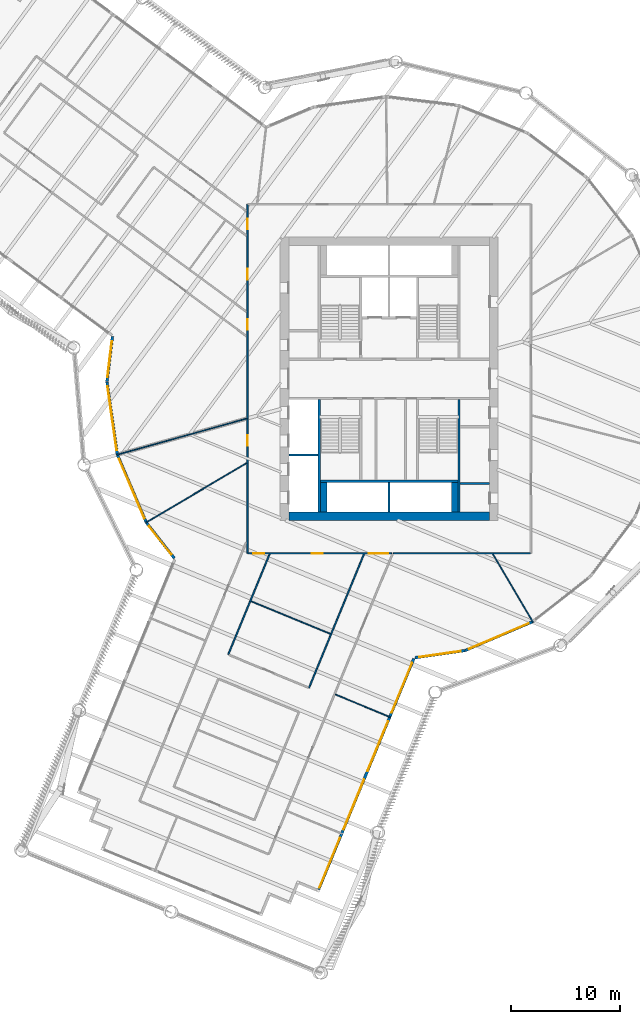
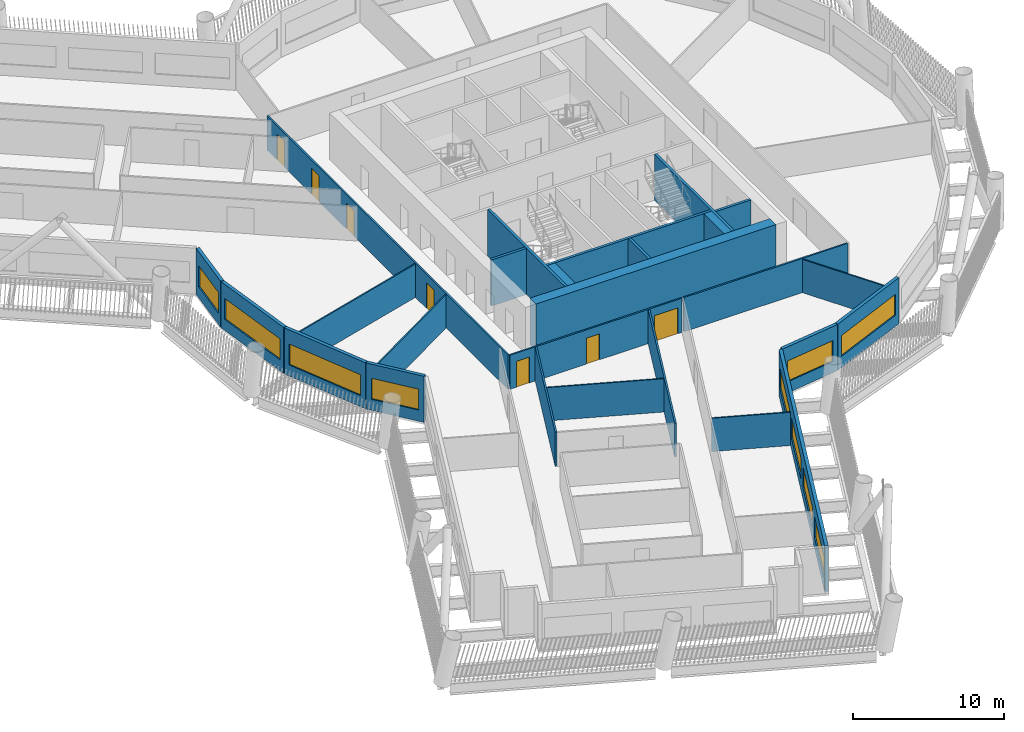
# One storey, part 4 of 23: 26 walls, 10 windows, 7 doors, 17 openings.
"""IFC4 building model written with IfcOpenShell, lengths in metres."""

from ifc_helpers import new_model, si_unit, direction, frame, frame_2d, origin, place, context, subcontext, project, spatial, rectangle, extrude, material, layer, layer_set, type_object, element, fill, save


model = new_model("IFC4")

# Units and contexts
model_context = context("Model", 3, precision=1e-05, world=origin(), true_north=direction((0.0, 1.0)))
body_context = subcontext(model_context, "Body", "Model", "MODEL_VIEW")
ifc_project = project(units=[si_unit("LENGTHUNIT", "METRE"), si_unit("AREAUNIT", "SQUARE_METRE"), si_unit("VOLUMEUNIT", "CUBIC_METRE"), si_unit("PLANEANGLEUNIT", "RADIAN"), si_unit("MASSUNIT", "GRAM", prefix="KILO")], contexts=[model_context])

# Site, building, storey
site_placement = place(None, origin())
site = spatial("IfcSite", under=ifc_project, at=site_placement, CompositionType="ELEMENT")
building_placement = place(site_placement, origin())
building = spatial("IfcBuilding", under=site, at=building_placement, Name="Tarsis Ring Headquarters", CompositionType="ELEMENT")
storey_placement = place(building_placement, frame((0.0, 0.0, 124.0)))
storey = spatial("IfcBuildingStorey", under=building, at=storey_placement, Name="L28", CompositionType="ELEMENT", Elevation=124.0)

# Walls
ifc_material_1 = material(Name="Blockwork", Category="masonry")
ifc_layer_1 = layer(ifc_material_1, 0.199951171875)
ifc_layer_set_1 = layer_set([ifc_layer_1], Name="Core blockwork wall 200")
wall_type_1 = type_object("IfcWallType", Name="Core blockwork wall 200", PredefinedType="PARTITIONING", material=ifc_layer_set_1)
wall_1_placement = place(storey_placement, frame((6.5, -9.60009765625, 0.0), z_axis=(0.0, 0.0, 1.0), x_axis=(1.0, 0.0, 0.0)))
element("IfcWall", 1, at=wall_1_placement, inside=storey, type_object=wall_type_1, Name="Core partition ED1", PredefinedType="PARTITIONING", context=body_context, shape_type="SweptSolid", body=[
    extrude(rectangle(XDim=2.699951171875, YDim=0.199951171875, at=frame_2d((1.35009765625, 0.0))), origin(), (0.0, 0.0, 1.0), 3.739990234375),
])
ifc_material_2 = material(Name="Concrete C60/75", Category="concrete")
ifc_layer_2 = layer(ifc_material_2, 0.800048828125)
ifc_layer_set_2 = layer_set([ifc_layer_2], Name="Core wall 800 C60/75")
wall_type_2 = type_object("IfcWallType", Name="Core wall 800 C60/75", PredefinedType="SHEAR", material=ifc_layer_set_2)
wall_2_placement = place(storey_placement, frame((-9.199951171875, -12.60009765625, 0.0), z_axis=(0.0, 0.0, 1.0), x_axis=(1.0, 0.0, 0.0)))
element("IfcWall", 2, at=wall_2_placement, inside=storey, type_object=wall_type_2, Name="Core wall OS", PredefinedType="SHEAR", context=body_context, shape_type="SweptSolid", body=[
    extrude(rectangle(XDim=18.39990234375, YDim=0.800048828125, at=frame_2d((9.199951171875, 0.0))), origin(), (0.0, 0.0, 1.0), 3.739990234375),
])
ifc_material_3 = material(Name="Gypsum board on steel studs", Category="steel")
ifc_layer_3 = layer(ifc_material_3, 0.10009765625)
ifc_layer_set_3 = layer_set([ifc_layer_3], Name="FL partition 100 unrated")
wall_type_3 = type_object("IfcWallType", Name="FL partition 100 unrated", PredefinedType="PARTITIONING", material=ifc_layer_set_3)
wall_3_placement = place(storey_placement, frame((-24.991943359375, -6.977783203125, 0.0), z_axis=(0.0, 0.0, 1.0), x_axis=(0.963163642633, 0.268915967377, 0.0)))
element("IfcWall", 3, at=wall_3_placement, inside=storey, type_object=wall_type_3, Name="Partition PW3", PredefinedType="PARTITIONING", context=body_context, shape_type="SweptSolid", body=[
    extrude(rectangle(XDim=12.380615234375, YDim=0.10009765625, at=frame_2d((6.1904296875, 0.0))), origin(), (0.0, 0.0, 1.0), 2.699951171875),
])
wall_4_placement = place(storey_placement, frame((-22.33447265625, -13.20849609375, 0.0), z_axis=(0.0, 0.0, 1.0), x_axis=(0.860742537154, 0.509040553133, 0.0)))
element("IfcWall", 4, at=wall_4_placement, inside=storey, type_object=wall_type_3, Name="Partition PW3", PredefinedType="PARTITIONING", context=body_context, shape_type="SweptSolid", body=[
    extrude(rectangle(XDim=10.7548828125, YDim=0.10009765625, at=frame_2d((5.37744140625, 0.0))), origin(), (0.0, 0.0, 1.0), 2.699951171875),
])
wall_5_placement = place(storey_placement, frame((-12.6572265625, -20.3955078125, 0.0), z_axis=(0.0, 0.0, 1.0), x_axis=(0.924537800692, -0.3810903503, 0.0)))
element("IfcWall", 5, at=wall_5_placement, inside=storey, type_object=wall_type_3, Name="Partition PW3", PredefinedType="PARTITIONING", context=body_context, shape_type="SweptSolid", body=[
    extrude(rectangle(XDim=7.85986328125, YDim=0.10009765625, at=frame_2d((3.929931640625, 0.0))), origin(), (0.0, 0.0, 1.0), 2.699951171875),
])
wall_6_placement = place(storey_placement, frame((9.50830078125, -16.077392578125, 0.0), z_axis=(0.0, 0.0, 1.0), x_axis=(0.509017818268, -0.860755982079, 0.0)))
element("IfcWall", 6, at=wall_6_placement, inside=storey, type_object=wall_type_3, Name="Partition PW3", PredefinedType="PARTITIONING", context=body_context, shape_type="SweptSolid", body=[
    extrude(rectangle(XDim=7.269287109375, YDim=0.10009765625, at=frame_2d((3.634765625, 0.0))), origin(), (0.0, 0.0, 1.0), 2.699951171875),
])
wall_7_placement = place(storey_placement, frame((-4.931884765625, -28.944580078125, 0.0), z_axis=(0.0, 0.0, 1.0), x_axis=(0.924551639934, -0.381056774111, 0.0)))
element("IfcWall", 7, at=wall_7_placement, inside=storey, type_object=wall_type_3, Name="Partition PW3", PredefinedType="PARTITIONING", context=body_context, shape_type="SweptSolid", body=[
    extrude(rectangle(XDim=5.479736328125, YDim=0.10009765625, at=frame_2d((2.73974609375, 0.0))), origin(), (0.0, 0.0, 1.0), 2.699951171875),
])

# Wall, openings, doors
ifc_layer_4 = layer(ifc_material_3, 0.125)
ifc_layer_set_4 = layer_set([ifc_layer_4], Name="FL partition 125 EI 60 H2770")
wall_type_4 = type_object("IfcWallType", Name="FL partition 125 EI 60 H2770", PredefinedType="PARTITIONING", material=ifc_layer_set_4)
wall_8_placement = place(storey_placement, frame((-13.0, -16.0, 0.0), z_axis=(0.0, 0.0, 1.0), x_axis=(0.0, 1.0, 0.0)))
wall_8 = element("IfcWall", 8, at=wall_8_placement, inside=storey, type_object=wall_type_4, Name="Partition PW1", PredefinedType="PARTITIONING", context=body_context, shape_type="SweptSolid", body=[
    extrude(rectangle(XDim=32.0, YDim=0.125, at=frame_2d((16.0, 0.0))), origin(), (0.0, 0.0, 1.0), 2.77001953125),
])
opening_1_placement = place(wall_8_placement, frame((9.841064453125, 0.0, 0.0)))
opening_1 = element("IfcOpeningElement", 9, at=opening_1_placement, cuts=wall_8, Name="Opening D28.14", PredefinedType="OPENING", context=body_context, shape_type="SweptSolid", body=[
    extrude(rectangle(XDim=1.0, YDim=2.10009765625, at=frame_2d((0.5, 1.050048828125))), frame((0.0, 0.072509765625, 0.0), z_axis=(0.0, -1.0, 0.0), x_axis=(1.0, 0.0, 0.0)), (0.0, 0.0, 1.0), 0.14501953125),
])
opening_2_placement = place(wall_8_placement, frame((25.08447265625, 0.0, 0.0)))
opening_2 = element("IfcOpeningElement", 10, at=opening_2_placement, cuts=wall_8, Name="Opening D28.16", PredefinedType="OPENING", context=body_context, shape_type="SweptSolid", body=[
    extrude(rectangle(XDim=1.0, YDim=2.10009765625, at=frame_2d((0.5, 1.050048828125))), frame((0.0, 0.072509765625, 0.0), z_axis=(0.0, -1.0, 0.0), x_axis=(1.0, 0.0, 0.0)), (0.0, 0.0, 1.0), 0.14501953125),
])
opening_3_placement = place(wall_8_placement, frame((20.47509765625, 0.0, 0.0)))
opening_3 = element("IfcOpeningElement", 11, at=opening_3_placement, cuts=wall_8, Name="Opening D28.24", PredefinedType="OPENING", context=body_context, shape_type="SweptSolid", body=[
    extrude(rectangle(XDim=1.0, YDim=2.10009765625, at=frame_2d((0.5, 1.050048828125))), frame((0.0, 0.072509765625, 0.0), z_axis=(0.0, -1.0, 0.0), x_axis=(1.0, 0.0, 0.0)), (0.0, 0.0, 1.0), 0.14501953125),
])
opening_4_placement = place(wall_8_placement, frame((29.693603515625, 0.0, 0.0)))
opening_4 = element("IfcOpeningElement", 12, at=opening_4_placement, cuts=wall_8, Name="Opening D28.25", PredefinedType="OPENING", context=body_context, shape_type="SweptSolid", body=[
    extrude(rectangle(XDim=1.0, YDim=2.10009765625, at=frame_2d((0.5, 1.050048828125))), frame((0.0, 0.072509765625, 0.0), z_axis=(0.0, -1.0, 0.0), x_axis=(1.0, 0.0, 0.0)), (0.0, 0.0, 1.0), 0.14501953125),
])
ifc_material_4 = material(Name="Fire-rated timber door leaf in steel frame", Category="steel")
door_type_1 = type_object("IfcDoorType", Name="FL door FD60-1000", OperationType="NOTDEFINED", PredefinedType="DOOR", material=ifc_material_4)
door_1_placement = place(opening_1_placement, origin())
door_1 = element("IfcDoor", 13, at=door_1_placement, inside=storey, type_object=door_type_1, Name="Door D28.14", OperationType="SINGLE_SWING_RIGHT", OverallHeight=2.10009765625, OverallWidth=1.0, PredefinedType="DOOR", context=body_context, shape_type="SweptSolid", body=[
    extrude(rectangle(XDim=1.0, YDim=2.10009765625, at=frame_2d((0.5, 1.050048828125))), frame((0.0, 0.02490234375, 0.0), z_axis=(0.0, -1.0, 0.0), x_axis=(1.0, 0.0, 0.0)), (0.0, 0.0, 1.0), 0.050048828125),
])
fill(opening_1, door_1)
door_2_placement = place(opening_2_placement, origin())
door_2 = element("IfcDoor", 14, at=door_2_placement, inside=storey, type_object=door_type_1, Name="Door D28.16", OperationType="SINGLE_SWING_RIGHT", OverallHeight=2.10009765625, OverallWidth=1.0, PredefinedType="DOOR", context=body_context, shape_type="SweptSolid", body=[
    extrude(rectangle(XDim=1.0, YDim=2.10009765625, at=frame_2d((0.5, 1.050048828125))), frame((0.0, 0.02490234375, 0.0), z_axis=(0.0, -1.0, 0.0), x_axis=(1.0, 0.0, 0.0)), (0.0, 0.0, 1.0), 0.050048828125),
])
fill(opening_2, door_2)
door_3_placement = place(opening_3_placement, origin())
door_3 = element("IfcDoor", 15, at=door_3_placement, inside=storey, type_object=door_type_1, Name="Door D28.24", OperationType="SINGLE_SWING_RIGHT", OverallHeight=2.10009765625, OverallWidth=1.0, PredefinedType="DOOR", context=body_context, shape_type="SweptSolid", body=[
    extrude(rectangle(XDim=1.0, YDim=2.10009765625, at=frame_2d((0.5, 1.050048828125))), frame((0.0, 0.02490234375, 0.0), z_axis=(0.0, -1.0, 0.0), x_axis=(1.0, 0.0, 0.0)), (0.0, 0.0, 1.0), 0.050048828125),
])
fill(opening_3, door_3)
door_4_placement = place(opening_4_placement, origin())
door_4 = element("IfcDoor", 16, at=door_4_placement, inside=storey, type_object=door_type_1, Name="Door D28.25", OperationType="SINGLE_SWING_LEFT", OverallHeight=2.10009765625, OverallWidth=1.0, PredefinedType="DOOR", context=body_context, shape_type="SweptSolid", body=[
    extrude(rectangle(XDim=1.0, YDim=2.10009765625, at=frame_2d((0.5, 1.050048828125))), frame((0.0, 0.02490234375, 0.0), z_axis=(0.0, -1.0, 0.0), x_axis=(1.0, 0.0, 0.0)), (0.0, 0.0, 1.0), 0.050048828125),
])
fill(opening_4, door_4)

wall_9_placement = place(storey_placement, frame((-12.93994140625, -16.0, 0.0), z_axis=(0.0, 0.0, 1.0), x_axis=(1.0, 0.0, 0.0)))
wall_9 = element("IfcWall", 17, at=wall_9_placement, inside=storey, type_object=wall_type_4, Name="Partition PW1", PredefinedType="PARTITIONING", context=body_context, shape_type="SweptSolid", body=[
    extrude(rectangle(XDim=13.174072265625, YDim=0.125, at=frame_2d((6.5869140625, 0.0))), origin(), (0.0, 0.0, 1.0), 2.77001953125),
])
opening_5_placement = place(wall_9_placement, frame((5.84521484375, 0.0, 0.0)))
opening_5 = element("IfcOpeningElement", 18, at=opening_5_placement, cuts=wall_9, Name="Opening D28.18", PredefinedType="OPENING", context=body_context, shape_type="SweptSolid", body=[
    extrude(rectangle(XDim=1.0, YDim=2.10009765625, at=frame_2d((0.5, 1.050048828125))), frame((0.0, 0.072509765625, 0.0), z_axis=(0.0, -1.0, 0.0), x_axis=(1.0, 0.0, 0.0)), (0.0, 0.0, 1.0), 0.14501953125),
])
opening_6_placement = place(wall_9_placement, frame((0.4794921875, 0.0, 0.0)))
opening_6 = element("IfcOpeningElement", 19, at=opening_6_placement, cuts=wall_9, Name="Opening D28.22", PredefinedType="OPENING", context=body_context, shape_type="SweptSolid", body=[
    extrude(rectangle(XDim=1.0, YDim=2.10009765625, at=frame_2d((0.5, 1.050048828125))), frame((0.0, 0.072509765625, 0.0), z_axis=(0.0, -1.0, 0.0), x_axis=(1.0, 0.0, 0.0)), (0.0, 0.0, 1.0), 0.14501953125),
])
opening_7_placement = place(wall_9_placement, frame((11.069580078125, 0.0, 0.0)))
opening_7 = element("IfcOpeningElement", 20, at=opening_7_placement, cuts=wall_9, Name="Opening D28.23", PredefinedType="OPENING", context=body_context, shape_type="SweptSolid", body=[
    extrude(rectangle(XDim=1.800048828125, YDim=2.10009765625, at=frame_2d((0.89990234375, 1.050048828125))), frame((0.0, 0.072509765625, 0.0), z_axis=(0.0, -1.0, 0.0), x_axis=(1.0, 0.0, 0.0)), (0.0, 0.0, 1.0), 0.14501953125),
])
door_5_placement = place(opening_5_placement, origin())
door_5 = element("IfcDoor", 21, at=door_5_placement, inside=storey, type_object=door_type_1, Name="Door D28.18", OperationType="SINGLE_SWING_RIGHT", OverallHeight=2.10009765625, OverallWidth=1.0, PredefinedType="DOOR", context=body_context, shape_type="SweptSolid", body=[
    extrude(rectangle(XDim=1.0, YDim=2.10009765625, at=frame_2d((0.5, 1.050048828125))), frame((0.0, 0.02490234375, 0.0), z_axis=(0.0, -1.0, 0.0), x_axis=(1.0, 0.0, 0.0)), (0.0, 0.0, 1.0), 0.050048828125),
])
fill(opening_5, door_5)
door_6_placement = place(opening_6_placement, origin())
door_6 = element("IfcDoor", 22, at=door_6_placement, inside=storey, type_object=door_type_1, Name="Door D28.22", OperationType="SINGLE_SWING_RIGHT", OverallHeight=2.10009765625, OverallWidth=1.0, PredefinedType="DOOR", context=body_context, shape_type="SweptSolid", body=[
    extrude(rectangle(XDim=1.0, YDim=2.10009765625, at=frame_2d((0.5, 1.050048828125))), frame((0.0, 0.02490234375, 0.0), z_axis=(0.0, -1.0, 0.0), x_axis=(1.0, 0.0, 0.0)), (0.0, 0.0, 1.0), 0.050048828125),
])
fill(opening_6, door_6)
door_type_2 = type_object("IfcDoorType", Name="FL door FD60-1800", OperationType="DOUBLE_DOOR_SINGLE_SWING", PredefinedType="DOOR", material=ifc_material_4)
door_7_placement = place(opening_7_placement, origin())
door_7 = element("IfcDoor", 23, at=door_7_placement, inside=storey, type_object=door_type_2, Name="Door D28.23", OperationType="DOUBLE_DOOR_SINGLE_SWING", OverallHeight=2.10009765625, OverallWidth=1.800048828125, PredefinedType="DOOR", context=body_context, shape_type="SweptSolid", body=[
    extrude(rectangle(XDim=1.800048828125, YDim=2.10009765625, at=frame_2d((0.89990234375, 1.050048828125))), frame((0.0, 0.02490234375, 0.0), z_axis=(0.0, -1.0, 0.0), x_axis=(1.0, 0.0, 0.0)), (0.0, 0.0, 1.0), 0.050048828125),
])
fill(opening_7, door_7)

# Walls
wall_10_placement = place(storey_placement, frame((0.385498046875, -16.0, 0.0), z_axis=(0.0, 0.0, 1.0), x_axis=(1.0, 0.0, 0.0)))
element("IfcWall", 24, at=wall_10_placement, inside=storey, type_object=wall_type_4, Name="Partition PW1", PredefinedType="PARTITIONING", context=body_context, shape_type="SweptSolid", body=[
    extrude(rectangle(XDim=12.554443359375, YDim=0.125, at=frame_2d((6.27734375, 0.0))), origin(), (0.0, 0.0, 1.0), 2.77001953125),
])
wall_11_placement = place(storey_placement, frame((-7.352783203125, -28.336181640625, 0.0), z_axis=(0.0, 0.0, 1.0), x_axis=(0.381070362777, 0.924546039207, 0.0)))
element("IfcWall", 25, at=wall_11_placement, inside=storey, type_object=wall_type_4, Name="Partition PW1", PredefinedType="PARTITIONING", context=body_context, shape_type="SweptSolid", body=[
    extrude(rectangle(XDim=13.2529296875, YDim=0.125, at=frame_2d((6.62646484375, 0.0))), origin(), (0.0, 0.0, 1.0), 2.77001953125),
])
wall_12_placement = place(storey_placement, frame((-14.749267578125, -25.28759765625, 0.0), z_axis=(0.0, 0.0, 1.0), x_axis=(0.381065537007, 0.924548028231, 0.0)))
element("IfcWall", 26, at=wall_12_placement, inside=storey, type_object=wall_type_4, Name="Partition PW1", PredefinedType="PARTITIONING", context=body_context, shape_type="SweptSolid", body=[
    extrude(rectangle(XDim=9.95556640625, YDim=0.125, at=frame_2d((4.977783203125, 0.0))), origin(), (0.0, 0.0, 1.0), 2.77001953125),
])

# Wall, opening, window
ifc_material_5 = material(Name="Terracotta clad insulated panel wall", Category="masonry")
ifc_layer_5 = layer(ifc_material_5, 0.25)
ifc_layer_set_5 = layer_set([ifc_layer_5], Name="Facade wall terracotta panel 250")
wall_type_5 = type_object("IfcWallType", Name="Facade wall terracotta panel 250", PredefinedType="STANDARD", material=ifc_layer_set_5)
wall_13_placement = place(storey_placement, frame((-25.37109375, 3.872802734375, 0.0), z_axis=(0.0, 0.0, 1.0), x_axis=(-0.120145474003, -0.992756296921, 0.0)))
wall_13 = element("IfcWall", 27, at=wall_13_placement, inside=storey, type_object=wall_type_5, Name="External wall L28-02", PredefinedType="STANDARD", context=body_context, shape_type="SweptSolid", body=[
    extrude(rectangle(XDim=4.157470703125, YDim=0.25, at=frame_2d((2.07861328125, 0.0))), origin(), (0.0, 0.0, 1.0), 3.739990234375),
])
opening_8_placement = place(wall_13_placement, frame((0.420166015625, 0.0, 0.89990234375)))
opening_8 = element("IfcOpeningElement", 28, at=opening_8_placement, cuts=wall_13, Name="Opening WN01", PredefinedType="OPENING", context=body_context, shape_type="SweptSolid", body=[
    extrude(rectangle(XDim=3.35009765625, YDim=1.699951171875, at=frame_2d((1.675048828125, 0.85009765625))), frame((0.0, 0.135009765625, 0.0), z_axis=(0.0, -1.0, 0.0), x_axis=(1.0, 0.0, 0.0)), (0.0, 0.0, 1.0), 0.27001953125),
])
ifc_material_6 = material(Name="Aluminium framed double glazing", Category="aluminium")
window_type_1 = type_object("IfcWindowType", Name="Facade window 3350 x 1700", PartitioningType="SINGLE_PANEL", PredefinedType="WINDOW", material=ifc_material_6)
window_1_placement = place(opening_8_placement, origin())
window_1 = element("IfcWindow", 29, at=window_1_placement, inside=storey, type_object=window_type_1, Name="Window L28-02.1", OverallHeight=1.699951171875, OverallWidth=3.35009765625, PartitioningType="SINGLE_PANEL", PredefinedType="WINDOW", context=body_context, shape_type="SweptSolid", body=[
    extrude(rectangle(XDim=3.35009765625, YDim=1.699951171875, at=frame_2d((1.675048828125, 0.85009765625))), frame((0.0, 0.030029296875, 0.0), z_axis=(0.0, -1.0, 0.0), x_axis=(1.0, 0.0, 0.0)), (0.0, 0.0, 1.0), 0.06005859375),
])
fill(opening_8, window_1)

wall_14_placement = place(storey_placement, frame((-25.8701171875, -0.287353515625, 0.0), z_axis=(0.0, 0.0, 1.0), x_axis=(0.140897556405, -0.990024180815, 0.0)))
wall_14 = element("IfcWall", 30, at=wall_14_placement, inside=storey, type_object=wall_type_5, Name="External wall L28-03", PredefinedType="STANDARD", context=body_context, shape_type="SweptSolid", body=[
    extrude(rectangle(XDim=6.721435546875, YDim=0.25, at=frame_2d((3.36083984375, 0.0))), origin(), (0.0, 0.0, 1.0), 3.739990234375),
])
opening_9_placement = place(wall_14_placement, frame((0.3857421875, 0.0, 0.89990234375)))
opening_9 = element("IfcOpeningElement", 31, at=opening_9_placement, cuts=wall_14, Name="Opening WN07", PredefinedType="OPENING", context=body_context, shape_type="SweptSolid", body=[
    extrude(rectangle(XDim=5.949951171875, YDim=1.699951171875, at=frame_2d((2.97509765625, 0.85009765625))), frame((0.0, 0.135009765625, 0.0), z_axis=(0.0, -1.0, 0.0), x_axis=(1.0, 0.0, 0.0)), (0.0, 0.0, 1.0), 0.27001953125),
])
window_type_2 = type_object("IfcWindowType", Name="Facade window 5950 x 1700", PartitioningType="SINGLE_PANEL", PredefinedType="WINDOW", material=ifc_material_6)
window_2_placement = place(opening_9_placement, origin())
window_2 = element("IfcWindow", 32, at=window_2_placement, inside=storey, type_object=window_type_2, Name="Window L28-03.1", OverallHeight=1.699951171875, OverallWidth=5.949951171875, PartitioningType="SINGLE_PANEL", PredefinedType="WINDOW", context=body_context, shape_type="SweptSolid", body=[
    extrude(rectangle(XDim=5.949951171875, YDim=1.699951171875, at=frame_2d((2.97509765625, 0.85009765625))), frame((0.0, 0.030029296875, 0.0), z_axis=(0.0, -1.0, 0.0), x_axis=(1.0, 0.0, 0.0)), (0.0, 0.0, 1.0), 0.06005859375),
])
fill(opening_9, window_2)

wall_15_placement = place(storey_placement, frame((-24.914306640625, -6.97314453125, 0.0), z_axis=(0.0, 0.0, 1.0), x_axis=(0.392318635752, -0.919829379853, 0.0)))
wall_15 = element("IfcWall", 33, at=wall_15_placement, inside=storey, type_object=wall_type_5, Name="External wall L28-04", PredefinedType="STANDARD", context=body_context, shape_type="SweptSolid", body=[
    extrude(rectangle(XDim=6.721435546875, YDim=0.25, at=frame_2d((3.36083984375, 0.0))), origin(), (0.0, 0.0, 1.0), 3.739990234375),
])
opening_10_placement = place(wall_15_placement, frame((0.3857421875, 0.0, 0.89990234375)))
opening_10 = element("IfcOpeningElement", 34, at=opening_10_placement, cuts=wall_15, Name="Opening WN07", PredefinedType="OPENING", context=body_context, shape_type="SweptSolid", body=[
    extrude(rectangle(XDim=5.949951171875, YDim=1.699951171875, at=frame_2d((2.97509765625, 0.85009765625))), frame((0.0, 0.135009765625, 0.0), z_axis=(0.0, -1.0, 0.0), x_axis=(1.0, 0.0, 0.0)), (0.0, 0.0, 1.0), 0.27001953125),
])
window_3_placement = place(opening_10_placement, origin())
window_3 = element("IfcWindow", 35, at=window_3_placement, inside=storey, type_object=window_type_2, Name="Window L28-04.1", OverallHeight=1.699951171875, OverallWidth=5.949951171875, PartitioningType="SINGLE_PANEL", PredefinedType="WINDOW", context=body_context, shape_type="SweptSolid", body=[
    extrude(rectangle(XDim=5.949951171875, YDim=1.699951171875, at=frame_2d((2.97509765625, 0.85009765625))), frame((0.0, 0.030029296875, 0.0), z_axis=(0.0, -1.0, 0.0), x_axis=(1.0, 0.0, 0.0)), (0.0, 0.0, 1.0), 0.06005859375),
])
fill(opening_10, window_3)

wall_16_placement = place(storey_placement, frame((-22.260498046875, -13.183837890625, 0.0), z_axis=(0.0, 0.0, 1.0), x_axis=(0.617009465405, -0.786955729123, 0.0)))
wall_16 = element("IfcWall", 36, at=wall_16_placement, inside=storey, type_object=wall_type_5, Name="External wall L28-05", PredefinedType="STANDARD", context=body_context, shape_type="SweptSolid", body=[
    extrude(rectangle(XDim=4.157470703125, YDim=0.25, at=frame_2d((2.07861328125, 0.0))), origin(), (0.0, 0.0, 1.0), 3.739990234375),
])
opening_11_placement = place(wall_16_placement, frame((0.38720703125, 0.0, 0.89990234375)))
opening_11 = element("IfcOpeningElement", 37, at=opening_11_placement, cuts=wall_16, Name="Opening WN01", PredefinedType="OPENING", context=body_context, shape_type="SweptSolid", body=[
    extrude(rectangle(XDim=3.35009765625, YDim=1.699951171875, at=frame_2d((1.675048828125, 0.85009765625))), frame((0.0, 0.135009765625, 0.0), z_axis=(0.0, -1.0, 0.0), x_axis=(1.0, 0.0, 0.0)), (0.0, 0.0, 1.0), 0.27001953125),
])
window_4_placement = place(opening_11_placement, origin())
window_4 = element("IfcWindow", 38, at=window_4_placement, inside=storey, type_object=window_type_1, Name="Window L28-05.1", OverallHeight=1.699951171875, OverallWidth=3.35009765625, PartitioningType="SINGLE_PANEL", PredefinedType="WINDOW", context=body_context, shape_type="SweptSolid", body=[
    extrude(rectangle(XDim=3.35009765625, YDim=1.699951171875, at=frame_2d((1.675048828125, 0.85009765625))), frame((0.0, 0.030029296875, 0.0), z_axis=(0.0, -1.0, 0.0), x_axis=(1.0, 0.0, 0.0)), (0.0, 0.0, 1.0), 0.06005859375),
])
fill(opening_11, window_4)

# Wall, openings, windows
wall_17_placement = place(storey_placement, frame((-6.455078125, -46.8232421875, 0.0), z_axis=(0.0, 0.0, 1.0), x_axis=(0.381071490669, 0.924545574323, 0.0)))
wall_17 = element("IfcWall", 39, at=wall_17_placement, inside=storey, type_object=wall_type_5, Name="External wall L28-16", PredefinedType="STANDARD", context=body_context, shape_type="SweptSolid", body=[
    extrude(rectangle(XDim=22.9013671875, YDim=0.25, at=frame_2d((11.45068359375, 0.0))), origin(), (0.0, 0.0, 1.0), 3.739990234375),
])
opening_12_placement = place(wall_17_placement, frame((0.1689453125, 0.0, 0.89990234375)))
opening_12 = element("IfcOpeningElement", 40, at=opening_12_placement, cuts=wall_17, Name="Opening WN05", PredefinedType="OPENING", context=body_context, shape_type="SweptSolid", body=[
    extrude(rectangle(XDim=4.949951171875, YDim=1.699951171875, at=frame_2d((2.47509765625, 0.85009765625))), frame((0.0, 0.135009765625, 0.0), z_axis=(0.0, -1.0, 0.0), x_axis=(1.0, 0.0, 0.0)), (0.0, 0.0, 1.0), 0.27001953125),
])
opening_13_placement = place(wall_17_placement, frame((5.956787109375, 0.0, 0.89990234375)))
opening_13 = element("IfcOpeningElement", 41, at=opening_13_placement, cuts=wall_17, Name="Opening WN05", PredefinedType="OPENING", context=body_context, shape_type="SweptSolid", body=[
    extrude(rectangle(XDim=4.949951171875, YDim=1.699951171875, at=frame_2d((2.47509765625, 0.85009765625))), frame((0.0, 0.135009765625, 0.0), z_axis=(0.0, -1.0, 0.0), x_axis=(1.0, 0.0, 0.0)), (0.0, 0.0, 1.0), 0.27001953125),
])
opening_14_placement = place(wall_17_placement, frame((11.74462890625, 0.0, 0.89990234375)))
opening_14 = element("IfcOpeningElement", 42, at=opening_14_placement, cuts=wall_17, Name="Opening WN05", PredefinedType="OPENING", context=body_context, shape_type="SweptSolid", body=[
    extrude(rectangle(XDim=4.949951171875, YDim=1.699951171875, at=frame_2d((2.47509765625, 0.85009765625))), frame((0.0, 0.135009765625, 0.0), z_axis=(0.0, -1.0, 0.0), x_axis=(1.0, 0.0, 0.0)), (0.0, 0.0, 1.0), 0.27001953125),
])
opening_15_placement = place(wall_17_placement, frame((17.532470703125, 0.0, 0.89990234375)))
opening_15 = element("IfcOpeningElement", 43, at=opening_15_placement, cuts=wall_17, Name="Opening WN05", PredefinedType="OPENING", context=body_context, shape_type="SweptSolid", body=[
    extrude(rectangle(XDim=4.949951171875, YDim=1.699951171875, at=frame_2d((2.47509765625, 0.85009765625))), frame((0.0, 0.135009765625, 0.0), z_axis=(0.0, -1.0, 0.0), x_axis=(1.0, 0.0, 0.0)), (0.0, 0.0, 1.0), 0.27001953125),
])
window_type_3 = type_object("IfcWindowType", Name="Facade window 4950 x 1700", PartitioningType="SINGLE_PANEL", PredefinedType="WINDOW", material=ifc_material_6)
window_5_placement = place(opening_12_placement, origin())
window_5 = element("IfcWindow", 44, at=window_5_placement, inside=storey, type_object=window_type_3, Name="Window L28-16.1", OverallHeight=1.699951171875, OverallWidth=4.949951171875, PartitioningType="SINGLE_PANEL", PredefinedType="WINDOW", context=body_context, shape_type="SweptSolid", body=[
    extrude(rectangle(XDim=4.949951171875, YDim=1.699951171875, at=frame_2d((2.47509765625, 0.85009765625))), frame((0.0, 0.030029296875, 0.0), z_axis=(0.0, -1.0, 0.0), x_axis=(1.0, 0.0, 0.0)), (0.0, 0.0, 1.0), 0.06005859375),
])
fill(opening_12, window_5)
window_6_placement = place(opening_13_placement, origin())
window_6 = element("IfcWindow", 45, at=window_6_placement, inside=storey, type_object=window_type_3, Name="Window L28-16.2", OverallHeight=1.699951171875, OverallWidth=4.949951171875, PartitioningType="SINGLE_PANEL", PredefinedType="WINDOW", context=body_context, shape_type="SweptSolid", body=[
    extrude(rectangle(XDim=4.949951171875, YDim=1.699951171875, at=frame_2d((2.47509765625, 0.85009765625))), frame((0.0, 0.030029296875, 0.0), z_axis=(0.0, -1.0, 0.0), x_axis=(1.0, 0.0, 0.0)), (0.0, 0.0, 1.0), 0.06005859375),
])
fill(opening_13, window_6)
window_7_placement = place(opening_14_placement, origin())
window_7 = element("IfcWindow", 46, at=window_7_placement, inside=storey, type_object=window_type_3, Name="Window L28-16.3", OverallHeight=1.699951171875, OverallWidth=4.949951171875, PartitioningType="SINGLE_PANEL", PredefinedType="WINDOW", context=body_context, shape_type="SweptSolid", body=[
    extrude(rectangle(XDim=4.949951171875, YDim=1.699951171875, at=frame_2d((2.47509765625, 0.85009765625))), frame((0.0, 0.030029296875, 0.0), z_axis=(0.0, -1.0, 0.0), x_axis=(1.0, 0.0, 0.0)), (0.0, 0.0, 1.0), 0.06005859375),
])
fill(opening_14, window_7)
window_8_placement = place(opening_15_placement, origin())
window_8 = element("IfcWindow", 47, at=window_8_placement, inside=storey, type_object=window_type_3, Name="Window L28-16.4", OverallHeight=1.699951171875, OverallWidth=4.949951171875, PartitioningType="SINGLE_PANEL", PredefinedType="WINDOW", context=body_context, shape_type="SweptSolid", body=[
    extrude(rectangle(XDim=4.949951171875, YDim=1.699951171875, at=frame_2d((2.47509765625, 0.85009765625))), frame((0.0, 0.030029296875, 0.0), z_axis=(0.0, -1.0, 0.0), x_axis=(1.0, 0.0, 0.0)), (0.0, 0.0, 1.0), 0.06005859375),
])
fill(opening_15, window_8)

# Wall, opening, window
wall_18_placement = place(storey_placement, frame((2.369873046875, -25.57373046875, 0.0), z_axis=(0.0, 0.0, 1.0), x_axis=(0.99002442812, 0.140895818698, 0.0)))
wall_18 = element("IfcWall", 48, at=wall_18_placement, inside=storey, type_object=wall_type_5, Name="External wall L28-17", PredefinedType="STANDARD", context=body_context, shape_type="SweptSolid", body=[
    extrude(rectangle(XDim=4.617919921875, YDim=0.25, at=frame_2d((2.30908203125, 0.0))), origin(), (0.0, 0.0, 1.0), 3.739990234375),
])
opening_16_placement = place(wall_18_placement, frame((0.400390625, 0.0, 0.89990234375)))
opening_16 = element("IfcOpeningElement", 49, at=opening_16_placement, cuts=wall_18, Name="Opening WN02", PredefinedType="OPENING", context=body_context, shape_type="SweptSolid", body=[
    extrude(rectangle(XDim=3.85009765625, YDim=1.699951171875, at=frame_2d((1.925048828125, 0.85009765625))), frame((0.0, 0.135009765625, 0.0), z_axis=(0.0, -1.0, 0.0), x_axis=(1.0, 0.0, 0.0)), (0.0, 0.0, 1.0), 0.27001953125),
])
window_type_4 = type_object("IfcWindowType", Name="Facade window 3850 x 1700", PartitioningType="SINGLE_PANEL", PredefinedType="WINDOW", material=ifc_material_6)
window_9_placement = place(opening_16_placement, origin())
window_9 = element("IfcWindow", 50, at=window_9_placement, inside=storey, type_object=window_type_4, Name="Window L28-17.1", OverallHeight=1.699951171875, OverallWidth=3.85009765625, PartitioningType="SINGLE_PANEL", PredefinedType="WINDOW", context=body_context, shape_type="SweptSolid", body=[
    extrude(rectangle(XDim=3.85009765625, YDim=1.699951171875, at=frame_2d((1.925048828125, 0.85009765625))), frame((0.0, 0.030029296875, 0.0), z_axis=(0.0, -1.0, 0.0), x_axis=(1.0, 0.0, 0.0)), (0.0, 0.0, 1.0), 0.06005859375),
])
fill(opening_16, window_9)

wall_19_placement = place(storey_placement, frame((6.97314453125, -24.914306640625, 0.0), z_axis=(0.0, 0.0, 1.0), x_axis=(0.919829379853, 0.392318635752, 0.0)))
wall_19 = element("IfcWall", 51, at=wall_19_placement, inside=storey, type_object=wall_type_5, Name="External wall L28-18", PredefinedType="STANDARD", context=body_context, shape_type="SweptSolid", body=[
    extrude(rectangle(XDim=6.721435546875, YDim=0.25, at=frame_2d((3.36083984375, 0.0))), origin(), (0.0, 0.0, 1.0), 3.739990234375),
])
opening_17_placement = place(wall_19_placement, frame((0.3857421875, 0.0, 0.89990234375)))
opening_17 = element("IfcOpeningElement", 52, at=opening_17_placement, cuts=wall_19, Name="Opening WN07", PredefinedType="OPENING", context=body_context, shape_type="SweptSolid", body=[
    extrude(rectangle(XDim=5.949951171875, YDim=1.699951171875, at=frame_2d((2.97509765625, 0.85009765625))), frame((0.0, 0.135009765625, 0.0), z_axis=(0.0, -1.0, 0.0), x_axis=(1.0, 0.0, 0.0)), (0.0, 0.0, 1.0), 0.27001953125),
])
window_10_placement = place(opening_17_placement, origin())
window_10 = element("IfcWindow", 53, at=window_10_placement, inside=storey, type_object=window_type_2, Name="Window L28-18.1", OverallHeight=1.699951171875, OverallWidth=5.949951171875, PartitioningType="SINGLE_PANEL", PredefinedType="WINDOW", context=body_context, shape_type="SweptSolid", body=[
    extrude(rectangle(XDim=5.949951171875, YDim=1.699951171875, at=frame_2d((2.97509765625, 0.85009765625))), frame((0.0, 0.030029296875, 0.0), z_axis=(0.0, -1.0, 0.0), x_axis=(1.0, 0.0, 0.0)), (0.0, 0.0, 1.0), 0.06005859375),
])
fill(opening_17, window_10)

# Walls
ifc_material_7 = material(Name="Concrete C32/40", Category="concrete")
ifc_layer_6 = layer(ifc_material_7, 0.60009765625)
ifc_layer_set_6 = layer_set([ifc_layer_6], Name="Shaft end wall 600 C32/40")
wall_type_6 = type_object("IfcWallType", Name="Shaft end wall 600 C32/40", PredefinedType="SOLIDWALL", material=ifc_layer_set_6)
for number, where, z_axis, x_axis, name in (
    (54, (-6.0, -12.199951171875, 0.0), (0.0, 0.0, 1.0), (0.0, 1.0, 0.0), "Core shaft wall SNE1"),
    (55, (6.0, -12.199951171875, 0.0), (0.0, 0.0, 1.0), (0.0, 1.0, 0.0), "Core shaft wall SNE2"),
):
    element("IfcWall", number, at=place(storey_placement, frame(where, z_axis=z_axis, x_axis=x_axis)), inside=storey, type_object=wall_type_6, Name=name, PredefinedType="SOLIDWALL", context=body_context, shape_type="SweptSolid", body=[
        extrude(rectangle(XDim=2.699951171875, YDim=0.60009765625, at=frame_2d((1.35009765625, 0.0))), origin(), (0.0, 0.0, 1.0), 3.739990234375),
    ])
ifc_layer_7 = layer(ifc_material_7, 0.199951171875)
ifc_layer_set_7 = layer_set([ifc_layer_7], Name="Shaft wall 200 C32/40")
wall_type_7 = type_object("IfcWallType", Name="Shaft wall 200 C32/40", PredefinedType="SOLIDWALL", material=ifc_layer_set_7)
for number, where, z_axis, x_axis, name in (
    (56, (-6.39990234375, -12.199951171875, 0.0), (0.0, 0.0, 1.0), (0.0, 1.0, 0.0), "Core shaft wall WB1"),
    (57, (6.39990234375, -12.199951171875, 0.0), (0.0, 0.0, 1.0), (0.0, 1.0, 0.0), "Core shaft wall EB1"),
):
    element("IfcWall", number, at=place(storey_placement, frame(where, z_axis=z_axis, x_axis=x_axis)), inside=storey, type_object=wall_type_7, Name=name, PredefinedType="SOLIDWALL", context=body_context, shape_type="SweptSolid", body=[
        extrude(rectangle(XDim=10.300048828125, YDim=0.199951171875, at=frame_2d((5.14990234375, 0.0))), origin(), (0.0, 0.0, 1.0), 3.739990234375),
    ])
wall_20_placement = place(storey_placement, frame((-6.300048828125, -9.39990234375, 0.0), z_axis=(0.0, 0.0, 1.0), x_axis=(1.0, 0.0, 0.0)))
element("IfcWall", 58, at=wall_20_placement, inside=storey, type_object=wall_type_7, Name="Core shaft wall SB", PredefinedType="SOLIDWALL", context=body_context, shape_type="SweptSolid", body=[
    extrude(rectangle(XDim=12.60009765625, YDim=0.199951171875, at=frame_2d((6.300048828125, 0.0))), origin(), (0.0, 0.0, 1.0), 3.739990234375),
])
for number, where, z_axis, x_axis, name in (
    (59, (-9.199951171875, -7.0, 0.0), (0.0, 0.0, 1.0), (1.0, 0.0, 0.0), "Core shaft wall WD2"),
    (60, (0.0, -12.199951171875, 0.0), (0.0, 0.0, 1.0), (0.0, 1.0, 0.0), "Core shaft wall SD2"),
):
    element("IfcWall", number, at=place(storey_placement, frame(where, z_axis=z_axis, x_axis=x_axis)), inside=storey, type_object=wall_type_7, Name=name, PredefinedType="SOLIDWALL", context=body_context, shape_type="SweptSolid", body=[
        extrude(rectangle(XDim=2.699951171875, YDim=0.199951171875, at=frame_2d((1.35009765625, 0.0))), origin(), (0.0, 0.0, 1.0), 3.739990234375),
    ])

save(model, "model.ifc")
